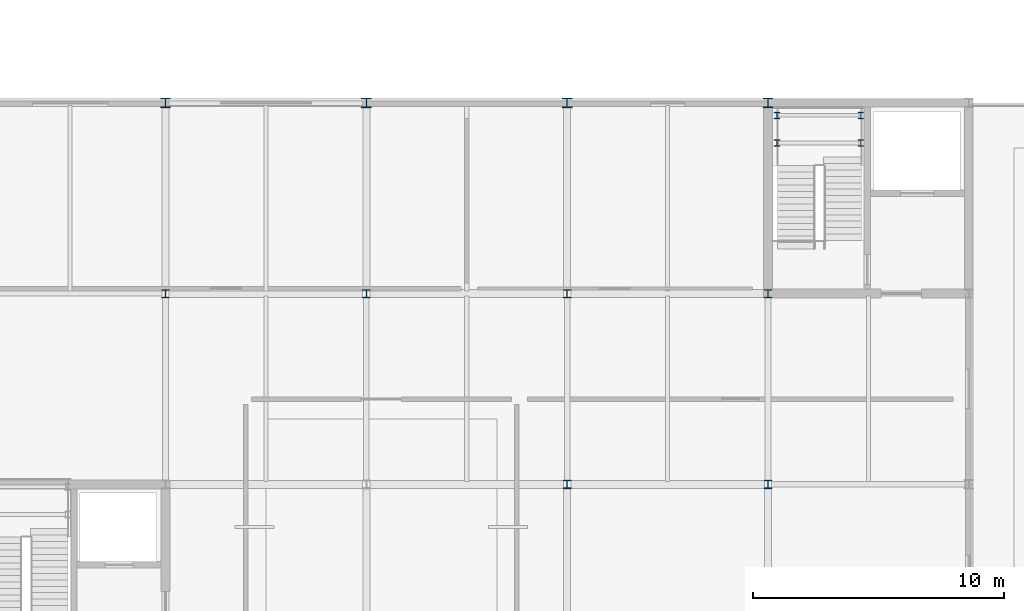
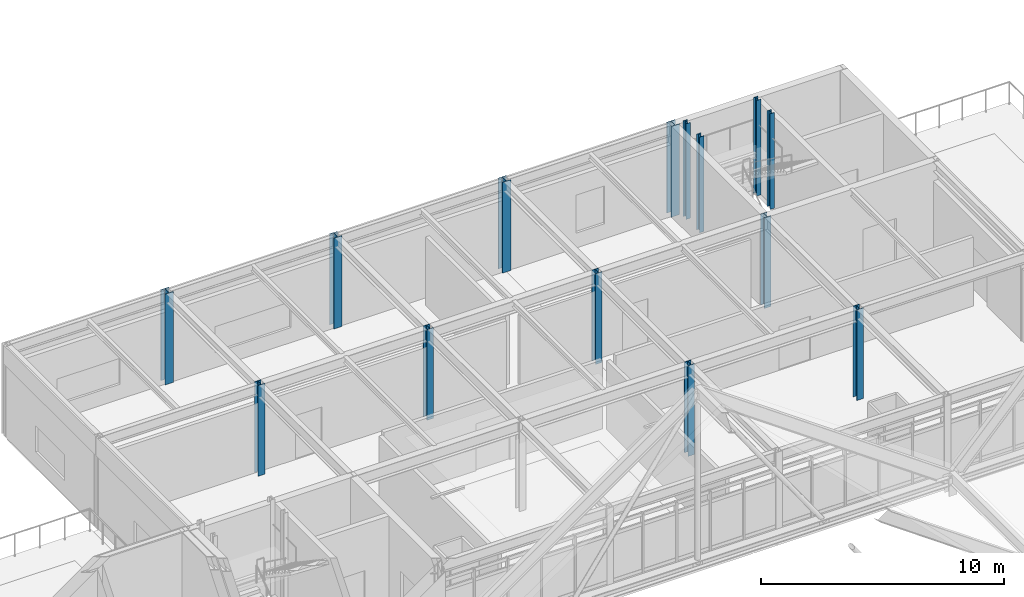
# One storey, part 15 of 100: 14 columns.
"""IFC4 building model written with IfcOpenShell, lengths in metres."""

from ifc_helpers import new_model, si_unit, direction, frame, origin, origin_2d, place, context, subcontext, project, spatial, i_section, extrude, material, material_profile, profile_set, type_object, element, save


model = new_model("IFC4")

# Units and contexts
model_context = context("Model", 3, precision=1e-05, world=origin(), true_north=direction((0.0, 1.0)))
body_context = subcontext(model_context, "Body", "Model", "MODEL_VIEW")
ifc_project = project(units=[si_unit("LENGTHUNIT", "METRE"), si_unit("AREAUNIT", "SQUARE_METRE"), si_unit("VOLUMEUNIT", "CUBIC_METRE"), si_unit("PLANEANGLEUNIT", "RADIAN"), si_unit("MASSUNIT", "GRAM", prefix="KILO")], contexts=[model_context])

# Site, building, storey
site_placement = place(None, origin())
site = spatial("IfcSite", under=ifc_project, at=site_placement, CompositionType="ELEMENT")
building_placement = place(site_placement, origin())
building = spatial("IfcBuilding", under=site, at=building_placement, Name="Zulena Civic Courthouse", CompositionType="ELEMENT")
storey_placement = place(building_placement, frame((0.0, 0.0, 20.39990234375)))
storey = spatial("IfcBuildingStorey", under=building, at=storey_placement, Name="L04", CompositionType="ELEMENT", Elevation=20.39990234375)

# Columns
ifc_material = material(Name="Steel ASTM A992 Grade 50", Category="steel")
ifc_material_profile_1 = material_profile(ifc_material, i_section(OverallWidth=0.2041015625, OverallDepth=0.257080078125, WebThickness=0.0087890625, FlangeThickness=0.015625, FilletRadius=0.0126953125, at=origin_2d()), Name="W10X45")
ifc_profile_set_1 = profile_set([ifc_material_profile_1], Name="Steel ASTM A992 Grade 50")
column_type_1 = type_object("IfcColumnType", Name="Col_W10X45", PredefinedType="COLUMN", material=ifc_profile_set_1)
for number, where, z_axis, x_axis, name in (
    (1, (156.360107421875, 51.60009765625, 0.0), (0.0, 0.0, 1.0), (1.0, 0.0, 0.0), "col:lnd:K3B:L04:0:0"),
    (2, (159.699951171875, 51.60009765625, 0.0), (0.0, 0.0, 1.0), (1.0, 0.0, 0.0), "col:lnd:K3B:L04:0:1"),
    (3, (156.360107421875, 52.699951171875, 0.0), (0.0, 0.0, 1.0), (1.0, 0.0, 0.0), "col:lnd:K3B:L04:1:0"),
    (4, (159.699951171875, 52.699951171875, 0.0), (0.0, 0.0, 1.0), (1.0, 0.0, 0.0), "col:lnd:K3B:L04:1:1"),
):
    element("IfcColumn", number, at=place(storey_placement, frame(where, z_axis=z_axis, x_axis=x_axis)), inside=storey, type_object=column_type_1, Name=name, PredefinedType="COLUMN", context=body_context, shape_type="SweptSolid", body=[
        extrude(i_section(OverallWidth=0.2041015625, OverallDepth=0.257080078125, WebThickness=0.0087890625, FlangeThickness=0.015625, FilletRadius=0.0126953125, at=origin_2d()), origin(), (0.0, 0.0, 1.0), 4.795166015625),
    ])
ifc_material_profile_2 = material_profile(ifc_material, i_section(OverallWidth=0.31298828125, OverallDepth=0.3330078125, WebThickness=0.01806640625, FlangeThickness=0.0283203125, FilletRadius=0.01513671875, at=origin_2d()), Name="W12X120")
ifc_profile_set_2 = profile_set([ifc_material_profile_2], Name="Steel ASTM A992 Grade 50")
column_type_2 = type_object("IfcColumnType", Name="Col_W12X120", PredefinedType="COLUMN", material=ifc_profile_set_2)
for number, where, z_axis, x_axis, name in (
    (5, (148.0, 38.0, 0.0), (0.0, 0.0, 1.0), (1.0, 0.0, 0.0), "col:V3:L04:148.0:38.0"),
    (6, (156.0, 38.0, 0.0), (0.0, 0.0, 1.0), (1.0, 0.0, 0.0), "col:V3:L04:156.0:38.0"),
):
    element("IfcColumn", number, at=place(storey_placement, frame(where, z_axis=z_axis, x_axis=x_axis)), inside=storey, type_object=column_type_2, Name=name, PredefinedType="COLUMN", context=body_context, shape_type="SweptSolid", body=[
        extrude(i_section(OverallWidth=0.31298828125, OverallDepth=0.3330078125, WebThickness=0.01806640625, FlangeThickness=0.0283203125, FilletRadius=0.01513671875, at=origin_2d()), origin(), (0.0, 0.0, 1.0), 4.545166015625),
    ])
ifc_material_profile_3 = material_profile(ifc_material, i_section(OverallWidth=0.30908203125, OverallDepth=0.322998046875, WebThickness=0.013916015625, FlangeThickness=0.02294921875, FilletRadius=0.01513671875, at=origin_2d()), Name="W12X96")
ifc_profile_set_3 = profile_set([ifc_material_profile_3], Name="Steel ASTM A992 Grade 50")
column_type_3 = type_object("IfcColumnType", Name="Col_W12X96", PredefinedType="COLUMN", material=ifc_profile_set_3)
for number, where, z_axis, x_axis, name in (
    (7, (132.0, 45.60009765625, 0.0), (0.0, 0.0, 1.0), (1.0, 0.0, 0.0), "col:V3:L04:132.0:45.6"),
    (8, (140.0, 45.60009765625, 0.0), (0.0, 0.0, 1.0), (1.0, 0.0, 0.0), "col:V3:L04:140.0:45.6"),
    (9, (148.0, 45.60009765625, 0.0), (0.0, 0.0, 1.0), (1.0, 0.0, 0.0), "col:V3:L04:148.0:45.6"),
    (10, (156.0, 45.60009765625, 0.0), (0.0, 0.0, 1.0), (1.0, 0.0, 0.0), "col:V3:L04:156.0:45.6"),
):
    element("IfcColumn", number, at=place(storey_placement, frame(where, z_axis=z_axis, x_axis=x_axis)), inside=storey, type_object=column_type_3, Name=name, PredefinedType="COLUMN", context=body_context, shape_type="SweptSolid", body=[
        extrude(i_section(OverallWidth=0.30908203125, OverallDepth=0.322998046875, WebThickness=0.013916015625, FlangeThickness=0.02294921875, FilletRadius=0.01513671875, at=origin_2d()), origin(), (0.0, 0.0, 1.0), 4.545166015625),
    ])
ifc_material_profile_4 = material_profile(ifc_material, i_section(OverallWidth=0.39404296875, OverallDepth=0.3759765625, WebThickness=0.017333984375, FlangeThickness=0.027587890625, FilletRadius=0.01513671875, at=origin_2d()), Name="W14X145")
ifc_profile_set_4 = profile_set([ifc_material_profile_4], Name="Steel ASTM A992 Grade 50")
column_type_4 = type_object("IfcColumnType", Name="Col_W14X145", PredefinedType="COLUMN", material=ifc_profile_set_4)
for number, where, z_axis, x_axis, name in (
    (11, (132.0, 53.199951171875, 0.0), (0.0, 0.0, 1.0), (1.0, 0.0, 0.0), "col:V3:L04:132.0:53.2"),
    (12, (140.0, 53.199951171875, 0.0), (0.0, 0.0, 1.0), (1.0, 0.0, 0.0), "col:V3:L04:140.0:53.2"),
    (13, (148.0, 53.199951171875, 0.0), (0.0, 0.0, 1.0), (1.0, 0.0, 0.0), "col:V3:L04:148.0:53.2"),
    (14, (156.0, 53.199951171875, 0.0), (0.0, 0.0, 1.0), (1.0, 0.0, 0.0), "col:V3:L04:156.0:53.2"),
):
    element("IfcColumn", number, at=place(storey_placement, frame(where, z_axis=z_axis, x_axis=x_axis)), inside=storey, type_object=column_type_4, Name=name, PredefinedType="COLUMN", context=body_context, shape_type="SweptSolid", body=[
        extrude(i_section(OverallWidth=0.39404296875, OverallDepth=0.3759765625, WebThickness=0.017333984375, FlangeThickness=0.027587890625, FilletRadius=0.01513671875, at=origin_2d()), origin(), (0.0, 0.0, 1.0), 4.545166015625),
    ])

save(model, "model.ifc")
